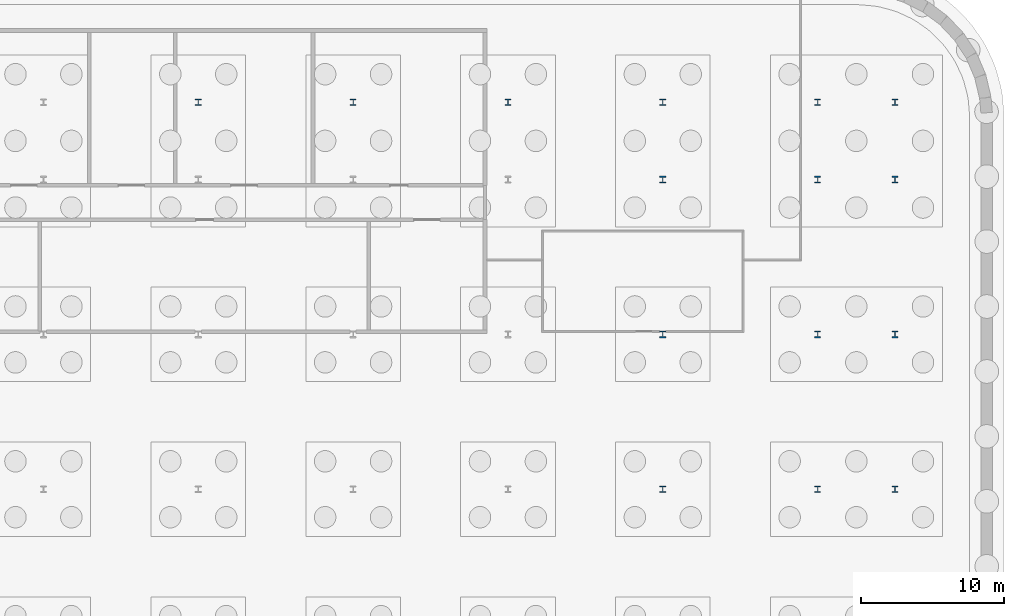
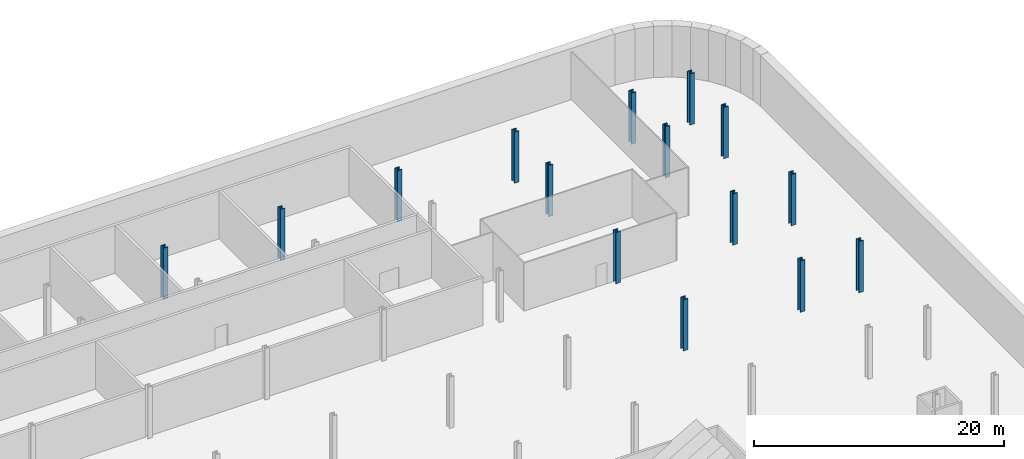
# One storey, part 7 of 23: 15 columns.
"""IFC4 building model written with IfcOpenShell, lengths in metres."""

import ifcopenshell
import ifcopenshell.guid

model = None  # the IFC model being written
_history = None  # IfcOwnerHistory: only IFC2X3 demands one
_inside = {}  # id of a spatial element -> (the spatial element, [elements in it])
_under = {}  # id of a project, library or spatial element -> (it, [spatial elements below it])
_declared = {}  # id of a project -> (the project, [libraries it declares])
_typed = {}  # id of a type object -> (the type object, [elements of that type])
_made_of = {}  # id of a material, layer set ... -> (it, [elements and type objects made of it])


def new_model(schema):
    """Start an empty IFC model of exactly this schema.

    Asked for "IFC4X3", IfcOpenShell would pick the latest addendum, in which some entities
    have other attributes; the version numbers below select the first issue.
    IFC2X3 requires an IfcOwnerHistory on every rooted entity: one is made here for all.
    """
    global model, _history
    if schema == "IFC4X3":
        model = ifcopenshell.file(schema_version=(4, 3, 0, 0))
    else:
        model = ifcopenshell.file(schema=schema)
    _inside.clear()
    _under.clear()
    _declared.clear()
    _typed.clear()
    _made_of.clear()
    _history = None
    if model.schema == "IFC2X3":
        org = make("IfcOrganization", Name="unknown")
        user = make(
            "IfcPersonAndOrganization",
            ThePerson=make("IfcPerson", FamilyName="unknown"),
            TheOrganization=org,
        )
        app = make(
            "IfcApplication",
            ApplicationDeveloper=org,
            Version="unknown",
            ApplicationFullName="unknown",
            ApplicationIdentifier="unknown",
        )
        _history = make(
            "IfcOwnerHistory",
            OwningUser=user,
            OwningApplication=app,
            ChangeAction="ADDED",
            CreationDate=0,
        )
    return model


def make(cls, **values):
    """One entity of the class cls with the attributes given. An attribute that is None is left unset."""
    return model.create_entity(
        cls, **{name: value for name, value in values.items() if value is not None}
    )


def rooted(cls, **values):
    """An entity with a GlobalId (a new one), such as an element, a storey or a relation."""
    return make(cls, GlobalId=ifcopenshell.guid.new(), OwnerHistory=_history, **values)


def si_unit(unit_type, name, prefix=None):
    """IfcSIUnit, for example si_unit("LENGTHUNIT", "METRE", prefix="MILLI")."""
    return make("IfcSIUnit", UnitType=unit_type, Prefix=prefix, Name=name)


def assignment(units):
    """IfcUnitAssignment: the units of a project."""
    return None if units is None else make("IfcUnitAssignment", Units=units)


def point(xyz):
    """IfcCartesianPoint."""
    return None if xyz is None else make("IfcCartesianPoint", Coordinates=xyz)


def direction(xyz):
    """IfcDirection."""
    return None if xyz is None else make("IfcDirection", DirectionRatios=xyz)


def frame(location, z_axis=None, x_axis=None):
    """IfcAxis2Placement3D, a coordinate frame: its origin and axes. An axis left out is left unset."""
    return make(
        "IfcAxis2Placement3D",
        Location=point(location),
        Axis=direction(z_axis),
        RefDirection=direction(x_axis),
    )


def frame_2d(location, x_axis=None):
    """IfcAxis2Placement2D, a coordinate frame in the plane: its origin and x axis."""
    return make(
        "IfcAxis2Placement2D", Location=point(location), RefDirection=direction(x_axis)
    )


def origin():
    """The frame at (0, 0, 0) with its axes left unset."""
    return frame((0.0, 0.0, 0.0))


def origin_2d():
    """The frame at (0, 0) in the plane with its x axis left unset."""
    return frame_2d((0.0, 0.0))


def place(relative_to, where):
    """IfcLocalPlacement: puts the frame where relative to a parent placement (None: the world)."""
    return make(
        "IfcLocalPlacement", PlacementRelTo=relative_to, RelativePlacement=where
    )


def context(
    kind, dimensions, precision=None, world=None, true_north=None, identifier=None
):
    """IfcGeometricRepresentationContext, for example the 3D "Model" context."""
    return make(
        "IfcGeometricRepresentationContext",
        ContextIdentifier=identifier,
        ContextType=kind,
        CoordinateSpaceDimension=dimensions,
        Precision=precision,
        WorldCoordinateSystem=world,
        TrueNorth=true_north,
    )


def subcontext(parent, identifier, kind, view, scale=None):
    """IfcGeometricRepresentationSubContext, for example "Body" below "Model"."""
    return make(
        "IfcGeometricRepresentationSubContext",
        ContextIdentifier=identifier,
        ContextType=kind,
        ParentContext=parent,
        TargetScale=scale,
        TargetView=view,
    )


def project(units=None, contexts=None):
    """IfcProject with its units and contexts."""
    return rooted(
        "IfcProject",
        Name="project",
        RepresentationContexts=contexts,
        UnitsInContext=assignment(units),
    )


def spatial(cls, under=None, at=None, **own):
    """A site, building, storey or space (cls), placed at a placement, below another one or the project."""
    s = rooted(cls, ObjectPlacement=at, **own)
    if under is not None:
        _under.setdefault(under.id(), (under, []))[1].append(s)
    return s


def profile(cls, at=None, kind="AREA", **sizes):
    """A parametric profile (cls). Its sizes go by their IFC names, for example OverallWidth=200.0."""
    return make(cls, ProfileType=kind, Position=at, **sizes)


def i_section(**sizes):
    """IfcIShapeProfileDef."""
    return profile("IfcIShapeProfileDef", **sizes)


def extrude(swept, where, along, depth):
    """IfcExtrudedAreaSolid: the profile swept, set in the frame where, extruded along a direction by depth."""
    return make(
        "IfcExtrudedAreaSolid",
        SweptArea=swept,
        Position=where,
        ExtrudedDirection=direction(along),
        Depth=depth,
    )


def shape(context_of_items, identifier, shape_type, items):
    """IfcShapeRepresentation: the items that make up one representation, for example the "Body"."""
    return make(
        "IfcShapeRepresentation",
        ContextOfItems=context_of_items,
        RepresentationIdentifier=identifier,
        RepresentationType=shape_type,
        Items=items,
    )


def material(Name=None, Category=None):
    """IfcMaterial."""
    return make("IfcMaterial", Name=Name, Category=Category)


def material_profile(
    of_material, cross_section, Name=None, Category=None, Priority=None
):
    """IfcMaterialProfile: a cross section and its material."""
    return make(
        "IfcMaterialProfile",
        Name=Name,
        Material=of_material,
        Profile=cross_section,
        Priority=Priority,
        Category=Category,
    )


def profile_set(profiles, Name=None, composite=None):
    """IfcMaterialProfileSet."""
    return make(
        "IfcMaterialProfileSet",
        Name=Name,
        MaterialProfiles=profiles,
        CompositeProfile=composite,
    )


def made_of(thing, what):
    """Note that an element or type object is made of a material, layer set ...; save() writes the relation."""
    if what is not None:
        _made_of.setdefault(what.id(), (what, []))[1].append(thing)
    return thing


def type_object(cls, material=None, **own):
    """A type object (cls), such as IfcWallType, which elements share."""
    return made_of(rooted(cls, **own), material)


def element(
    cls,
    number,
    at=None,
    inside=None,
    cuts=None,
    type_object=None,
    material=None,
    context=None,
    identifier="Body",
    shape_type=None,
    held_by="IfcProductDefinitionShape",
    body=None,
    shapes=None,
    **own,
):
    """One element of the class cls, such as IfcWall. Its Tag is "e" and its number.

    at: its placement. inside: the storey or other place that contains it. cuts: it is an
    opening in that element (IfcRelVoidsElement). A single representation is given by context,
    identifier, shape_type and body (its items); several are given by shapes. held_by: the class
    of the entity that holds the representations. save() writes the other relations.
    """
    e = rooted(cls, Tag="e%d" % number, ObjectPlacement=at, **own)
    if body is not None:
        shapes = [shape(context, identifier, shape_type, body)]
    if shapes is not None:
        e.Representation = make(held_by, Representations=shapes)
    if inside is not None:
        _inside.setdefault(inside.id(), (inside, []))[1].append(e)
    if cuts is not None:
        rooted(
            "IfcRelVoidsElement", RelatingBuildingElement=cuts, RelatedOpeningElement=e
        )
    if type_object is not None:
        _typed.setdefault(type_object.id(), (type_object, []))[1].append(e)
    return made_of(e, material)


def aggregate(whole, parts):
    """IfcRelAggregates: a whole, such as a stair, and the parts it consists of."""
    return rooted("IfcRelAggregates", RelatingObject=whole, RelatedObjects=parts)


def save(model, path):
    """Write the relations noted so far, then the file.

    IfcRelAggregates (storeys below a building ...), IfcRelContainedInSpatialStructure (elements
    in a storey), IfcRelDefinesByType, IfcRelAssociatesMaterial and IfcRelDeclares: one each for
    every whole, place, type object, material and project.
    """
    for whole, parts in _under.values():
        aggregate(whole, parts)
    for where, things in _inside.values():
        rooted(
            "IfcRelContainedInSpatialStructure",
            RelatedElements=things,
            RelatingStructure=where,
        )
    for kind, things in _typed.values():
        rooted("IfcRelDefinesByType", RelatedObjects=things, RelatingType=kind)
    for what, things in _made_of.values():
        rooted("IfcRelAssociatesMaterial", RelatedObjects=things, RelatingMaterial=what)
    for by, libraries in _declared.values():
        rooted("IfcRelDeclares", RelatingContext=by, RelatedDefinitions=libraries)
    model.write(path)


model = new_model("IFC4")

# Units and contexts
model_context = context("Model", 3, precision=1e-05, world=origin(), true_north=direction((0.0, 1.0)))
body_context = subcontext(model_context, "Body", "Model", "MODEL_VIEW")
ifc_project = project(units=[si_unit("LENGTHUNIT", "METRE"), si_unit("AREAUNIT", "SQUARE_METRE"), si_unit("VOLUMEUNIT", "CUBIC_METRE"), si_unit("PLANEANGLEUNIT", "RADIAN"), si_unit("MASSUNIT", "GRAM", prefix="KILO")], contexts=[model_context])

# Site, building, storey
site_placement = place(None, origin())
site = spatial("IfcSite", under=ifc_project, at=site_placement, CompositionType="ELEMENT")
building_placement = place(site_placement, origin())
building = spatial("IfcBuilding", under=site, at=building_placement, Name="Kheshtan School and Residences Tower", CompositionType="ELEMENT")
storey_placement = place(building_placement, frame((0.0, 0.0, -15.0)))
storey = spatial("IfcBuildingStorey", under=building, at=storey_placement, Name="B3", CompositionType="ELEMENT", Elevation=-15.0)

# Columns
ifc_material = material(Name="Steel ASTM A992 Grade 50", Category="steel")
ifc_material_profile = material_profile(ifc_material, i_section(OverallWidth=0.424072265625, OverallDepth=0.47412109375, WebThickness=0.047607421875, FlangeThickness=0.0771484375, FilletRadius=0.01416015625, at=origin_2d()), Name="W360x634")
ifc_profile_set = profile_set([ifc_material_profile], Name="Steel ASTM A992 Grade 50")
column_type = type_object("IfcColumnType", Name="Column PC1 W360x634 ASTM A992 Grade 50", PredefinedType="COLUMN", material=ifc_profile_set)
for number, where, z_axis, x_axis, name in (
    (1, (112.39990234375, 78.0, 0.0), (0.0, 0.0, 1.0), (1.0, 0.0, 0.0), "Column P-082"),
    (2, (123.199951171875, 78.0, 0.0), (0.0, 0.0, 1.0), (1.0, 0.0, 0.0), "Column P-083"),
    (3, (128.60009765625, 78.0, 0.0), (0.0, 0.0, 1.0), (1.0, 0.0, 0.0), "Column P-084"),
    (4, (112.39990234375, 88.800048828125, 0.0), (0.0, 0.0, 1.0), (1.0, 0.0, 0.0), "Column P-094"),
    (5, (123.199951171875, 88.800048828125, 0.0), (0.0, 0.0, 1.0), (1.0, 0.0, 0.0), "Column P-095"),
    (6, (128.60009765625, 88.800048828125, 0.0), (0.0, 0.0, 1.0), (1.0, 0.0, 0.0), "Column P-096"),
    (7, (112.39990234375, 99.60009765625, 0.0), (0.0, 0.0, 1.0), (1.0, 0.0, 0.0), "Column P-106"),
    (8, (123.199951171875, 99.60009765625, 0.0), (0.0, 0.0, 1.0), (1.0, 0.0, 0.0), "Column P-107"),
    (9, (128.60009765625, 99.60009765625, 0.0), (0.0, 0.0, 1.0), (1.0, 0.0, 0.0), "Column P-108"),
    (10, (80.0, 105.0, 0.0), (0.0, 0.0, 1.0), (1.0, 0.0, 0.0), "Column P-115"),
    (11, (90.800048828125, 105.0, 0.0), (0.0, 0.0, 1.0), (1.0, 0.0, 0.0), "Column P-116"),
    (12, (101.60009765625, 105.0, 0.0), (0.0, 0.0, 1.0), (1.0, 0.0, 0.0), "Column P-117"),
    (13, (112.39990234375, 105.0, 0.0), (0.0, 0.0, 1.0), (1.0, 0.0, 0.0), "Column P-118"),
    (14, (123.199951171875, 105.0, 0.0), (0.0, 0.0, 1.0), (1.0, 0.0, 0.0), "Column P-119"),
    (15, (128.60009765625, 105.0, 0.0), (0.0, 0.0, 1.0), (1.0, 0.0, 0.0), "Column P-120"),
):
    element("IfcColumn", number, at=place(storey_placement, frame(where, z_axis=z_axis, x_axis=x_axis)), inside=storey, type_object=column_type, Name=name, PredefinedType="COLUMN", context=body_context, shape_type="SweptSolid", body=[
        extrude(i_section(OverallWidth=0.424072265625, OverallDepth=0.47412109375, WebThickness=0.047607421875, FlangeThickness=0.0771484375, FilletRadius=0.01416015625, at=origin_2d()), origin(), (0.0, 0.0, 1.0), 5.0),
    ])

save(model, "model.ifc")
